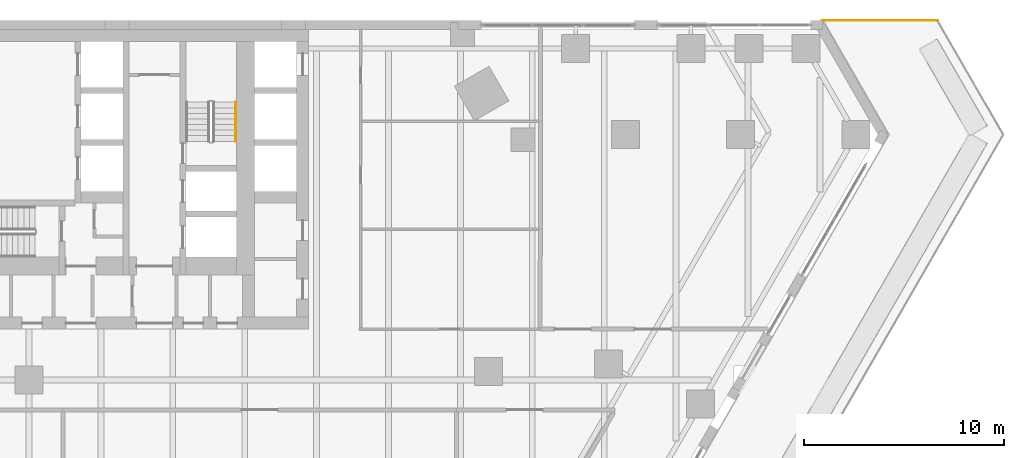
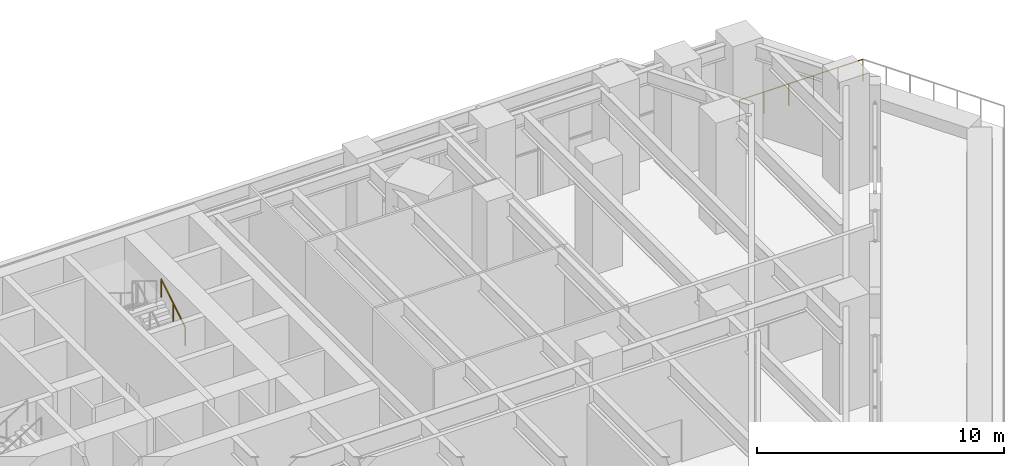
# One storey, part 30 of 30: 2 railings.
"""IFC4 building model written with IfcOpenShell, lengths in metres."""

from ifc_helpers import new_model, si_unit, direction, frame, origin, origin_2d, place, context, subcontext, project, spatial, circle, extrude, material, type_object, element, save


model = new_model("IFC4")

# Units and contexts
model_context = context("Model", 3, precision=1e-05, world=origin(), true_north=direction((0.0, 1.0)))
body_context = subcontext(model_context, "Body", "Model", "MODEL_VIEW")
ifc_project = project(units=[si_unit("LENGTHUNIT", "METRE"), si_unit("AREAUNIT", "SQUARE_METRE"), si_unit("VOLUMEUNIT", "CUBIC_METRE"), si_unit("PLANEANGLEUNIT", "RADIAN"), si_unit("MASSUNIT", "GRAM", prefix="KILO")], contexts=[model_context])

# Site, building, storey
site_placement = place(None, origin())
site = spatial("IfcSite", under=ifc_project, at=site_placement, CompositionType="ELEMENT")
building_placement = place(site_placement, origin())
building = spatial("IfcBuilding", under=site, at=building_placement, Name="Aloe Facet Convention Tower", CompositionType="ELEMENT")
storey_placement = place(building_placement, frame((0.0, 0.0, 19.5)))
storey = spatial("IfcBuildingStorey", under=building, at=storey_placement, Name="L03", CompositionType="ELEMENT", Elevation=19.5)

# Railings
ifc_material_1 = material(Name="Steel S355 handrail", Category="steel")
railing_type_1 = type_object("IfcRailingType", Name="CR-RL-HAND", PredefinedType="HANDRAIL", material=ifc_material_1)
railing_1_placement = place(storey_placement, frame((90.35009765625, 128.949951171875, 2.921875)))
element("IfcRailing", 1, at=railing_1_placement, inside=storey, type_object=railing_type_1, Name="L03 ST2 stair handrail 3", PredefinedType="HANDRAIL", context=body_context, shape_type="SweptSolid", body=[
    extrude(circle(Radius=0.02392578125, at=origin_2d()), frame((0.0, 0.0, 0.8759765625), z_axis=(0.0, 0.852240978134, 0.523149419562), x_axis=(-1.0, 0.0, 0.0)), (0.0, 0.0, 1.0), 2.2998046875),
    extrude(circle(Radius=0.02099609375, at=origin_2d()), origin(), (0.0, 0.0, 1.0), 0.851806640625),
    extrude(circle(Radius=0.02099609375, at=origin_2d()), frame((0.0, 0.97998046875, 0.6015625)), (0.0, 0.0, 1.0), 0.851806640625),
    extrude(circle(Radius=0.02099609375, at=origin_2d()), frame((0.0, 1.9599609375, 1.203125)), (0.0, 0.0, 1.0), 0.851806640625),
])
ifc_material_2 = material(Name="Steel S355, bronze oxide finish", Category="steel")
railing_type_2 = type_object("IfcRailingType", Name="EV-GUARD-TERR", PredefinedType="GUARDRAIL", material=ifc_material_2)
railing_2_placement = place(storey_placement, frame((119.720458984375, 135.0, 0.0)))
element("IfcRailing", 2, at=railing_2_placement, inside=storey, type_object=railing_type_2, Name="GUARD PT-L03-1-2", PredefinedType="GUARDRAIL", context=body_context, shape_type="SweptSolid", body=[
    extrude(circle(Radius=0.02392578125, at=origin_2d()), frame((0.0, 0.0, 1.076171875), z_axis=(1.0, 0.0, 0.0), x_axis=(0.0, 1.0, 0.0)), (0.0, 0.0, 1.0), 5.7734375),
    extrude(circle(Radius=0.02099609375, at=origin_2d()), origin(), (0.0, 0.0, 1.0), 1.052001953125),
    extrude(circle(Radius=0.02099609375, at=origin_2d()), frame((1.15478515625, 0.0, 0.0)), (0.0, 0.0, 1.0), 1.052001953125),
    extrude(circle(Radius=0.02099609375, at=origin_2d()), frame((2.309326171875, 0.0, 0.0)), (0.0, 0.0, 1.0), 1.052001953125),
    extrude(circle(Radius=0.02099609375, at=origin_2d()), frame((3.464111328125, 0.0, 0.0)), (0.0, 0.0, 1.0), 1.052001953125),
    extrude(circle(Radius=0.02099609375, at=origin_2d()), frame((4.61865234375, 0.0, 0.0)), (0.0, 0.0, 1.0), 1.052001953125),
    extrude(circle(Radius=0.02099609375, at=origin_2d()), frame((5.7734375, 0.0, 0.0)), (0.0, 0.0, 1.0), 1.052001953125),
])

save(model, "model.ifc")
